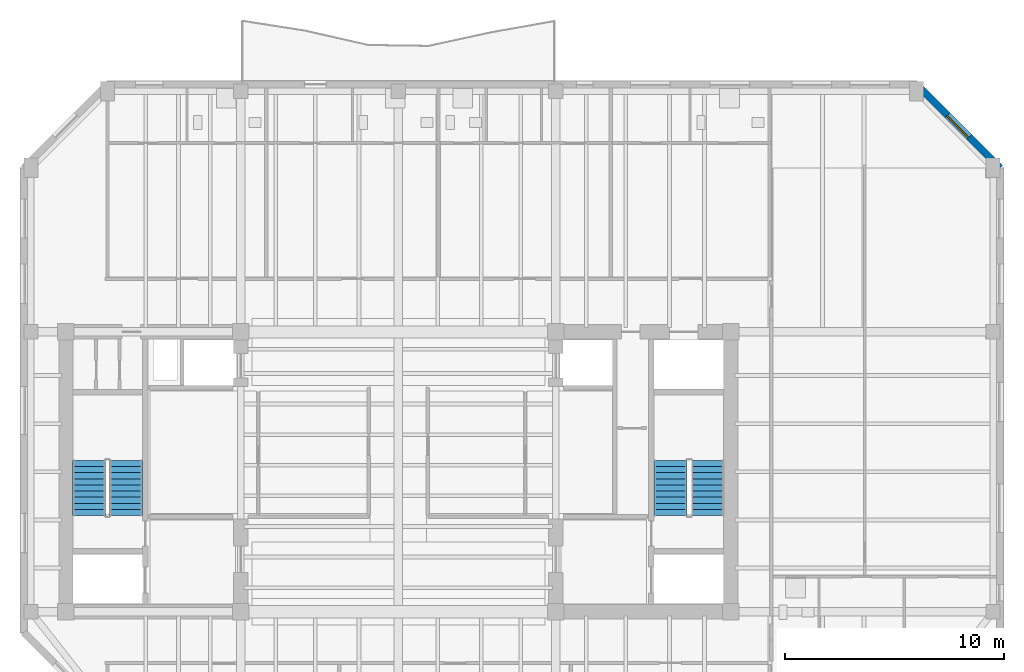
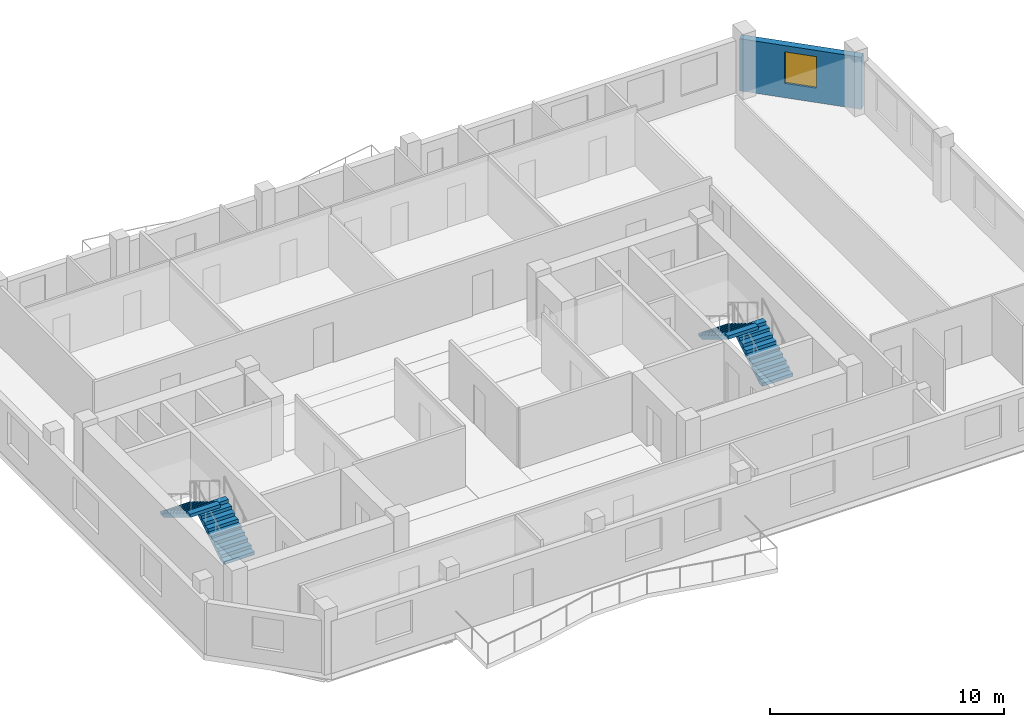
# One storey, part 6 of 9: 4 stair flights, 1 wall, 1 window, 1 opening, 2 elements without a shape of their own.
"""IFC4 building model written with IfcOpenShell, lengths in metres."""

from ifc_helpers import new_model, si_unit, direction, frame, frame_2d, origin, place, context, subcontext, project, spatial, polyline, rectangle, outline, extrude, material, layer, layer_set, type_object, element, fill, aggregate, save


model = new_model("IFC4")

# Units and contexts
model_context = context("Model", 3, precision=1e-05, world=origin(), true_north=direction((0.0, 1.0)))
body_context = subcontext(model_context, "Body", "Model", "MODEL_VIEW")
ifc_project = project(units=[si_unit("LENGTHUNIT", "METRE"), si_unit("AREAUNIT", "SQUARE_METRE"), si_unit("VOLUMEUNIT", "CUBIC_METRE"), si_unit("PLANEANGLEUNIT", "RADIAN"), si_unit("MASSUNIT", "GRAM", prefix="KILO")], contexts=[model_context])

# Site, building, storey
site_placement = place(None, origin())
site = spatial("IfcSite", under=ifc_project, at=site_placement, CompositionType="ELEMENT")
building_placement = place(site_placement, origin())
building = spatial("IfcBuilding", under=site, at=building_placement, Name="Kranthara Brick Stack", CompositionType="ELEMENT")
storey_placement = place(building_placement, frame((0.0, 0.0, 258.5)))
storey = spatial("IfcBuildingStorey", under=building, at=storey_placement, Name="L68", CompositionType="ELEMENT", Elevation=258.5)

# Wall, opening, window
ifc_material_1 = material(Name="Warm buff clay brick masonry M15", Category="masonry")
ifc_layer = layer(ifc_material_1, 0.320068359375)
ifc_layer_set = layer_set([ifc_layer], Name="Warm buff clay brick masonry M15")
wall_type = type_object("IfcWallType", Name="WL-BRK-UPPR-320", PredefinedType="STANDARD", material=ifc_layer_set)
wall_placement = place(storey_placement, frame((51.699951171875, 44.919921875, 0.0), z_axis=(0.0, 0.0, 1.0), x_axis=(0.70712937715, -0.707084184501, 0.0)))
wall = element("IfcWall", 1, at=wall_placement, inside=storey, type_object=wall_type, Name="L68 Exterior Brick Facade Wall NE 1", PredefinedType="STANDARD", context=body_context, shape_type="SweptSolid", body=[
    extrude(rectangle(XDim=5.402099609375, YDim=0.320068359375, at=frame_2d((2.701171875, 0.0))), origin(), (0.0, 0.0, 1.0), 2.72509765625),
])
opening_placement = place(wall_placement, frame((2.0009765625, 0.0, 0.75)))
opening = element("IfcOpeningElement", 2, at=opening_placement, cuts=wall, Name="Opening WN10", PredefinedType="OPENING", context=body_context, shape_type="SweptSolid", body=[
    extrude(rectangle(XDim=1.39990234375, YDim=1.64990234375, at=frame_2d((0.699951171875, 0.824951171875))), frame((0.0, 0.169921875, 0.0), z_axis=(0.0, -1.0, 0.0), x_axis=(1.0, 0.0, 0.0)), (0.0, 0.0, 1.0), 0.340087890625),
])
ifc_material_2 = material(Name="Double-glazed low-E solar control glass", Category="glass")
window_type = type_object("IfcWindowType", Name="WN-CHM-1400x1750", PartitioningType="SINGLE_PANEL", PredefinedType="WINDOW", material=ifc_material_2)
window_placement = place(opening_placement, origin())
window = element("IfcWindow", 3, at=window_placement, inside=storey, type_object=window_type, Name="L68 NE Chamfer Corner Window", OverallHeight=1.64990234375, OverallWidth=1.39990234375, PartitioningType="SINGLE_PANEL", PredefinedType="WINDOW", context=body_context, shape_type="SweptSolid", body=[
    extrude(rectangle(XDim=1.39990234375, YDim=1.64990234375, at=frame_2d((0.699951171875, 0.824951171875))), frame((0.0, -0.010009765625, 0.0), z_axis=(0.0, -1.0, 0.0), x_axis=(1.0, 0.0, 0.0)), (0.0, 0.0, 1.0), 0.06005859375),
])
fill(opening, window)

# Stair, stair flights
ifc_material_3 = material(Name="Concrete C45/55", Category="concrete")
stair_type = type_object("IfcStairType", Name="ST-CORE-20R", PredefinedType="HALF_TURN_STAIR", material=ifc_material_3)
stair_1_placement = place(storey_placement, origin())
stair_1 = element("IfcStair", 4, at=stair_1_placement, inside=storey, type_object=stair_type, Name="L68 West Core Protected Exit Stair ST01", PredefinedType="HALF_TURN_STAIR")
ifc_material_4 = material(Name="Concrete C45/55", Category="concrete")
stair_flight_type = type_object("IfcStairFlightType", Name="SFL-RC-20R", PredefinedType="STRAIGHT", material=ifc_material_4)
stair_flight_1_placement = place(storey_placement, frame((15.550048828125, 25.199951171875, 0.0), z_axis=(0.0, 0.0, 1.0), x_axis=(0.0, 1.0, 0.0)))
stair_flight_1 = element("IfcStairFlight", 5, at=stair_flight_1_placement, type_object=stair_flight_type, Name="ST01 flight 1", NumberOfRisers=10, NumberOfTreads=9, PredefinedType="STRAIGHT", RiserHeight=0.17, TreadLength=0.28, context=body_context, shape_type="SweptSolid", body=[
    extrude(outline(polyline([(0.0, 0.0), (0.0, 0.169921875), (0.280029296875, 0.169921875), (0.280029296875, 0.340087890625), (0.56005859375, 0.340087890625), (0.56005859375, 0.510009765625), (0.840087890625, 0.510009765625), (0.840087890625, 0.679931640625), (1.1201171875, 0.679931640625), (1.1201171875, 0.85009765625), (1.39990234375, 0.85009765625), (1.39990234375, 1.02001953125), (1.679931640625, 1.02001953125), (1.679931640625, 1.18994140625), (1.9599609375, 1.18994140625), (1.9599609375, 1.360107421875), (2.239990234375, 1.360107421875), (2.239990234375, 1.530029296875), (2.52001953125, 1.530029296875), (2.52001953125, 1.699951171875), (2.52001953125, 1.354736328125), (0.288818359375, 0.0), (0.0, 0.0)])), frame((0.0, 0.75, 0.0), z_axis=(0.0, -1.0, 0.0), x_axis=(1.0, 0.0, 0.0)), (0.0, 0.0, 1.0), 1.5),
])
stair_flight_2_placement = place(storey_placement, frame((13.85009765625, 27.719970703125, 1.699951171875), z_axis=(0.0, 0.0, 1.0), x_axis=(0.0, -1.0, 0.0)))
stair_flight_2 = element("IfcStairFlight", 6, at=stair_flight_2_placement, type_object=stair_flight_type, Name="ST01 flight 2", NumberOfRisers=10, NumberOfTreads=9, PredefinedType="STRAIGHT", RiserHeight=0.17, TreadLength=0.28, context=body_context, shape_type="SweptSolid", body=[
    extrude(outline(polyline([(0.0, 0.0), (0.0, 0.169921875), (0.280029296875, 0.169921875), (0.280029296875, 0.340087890625), (0.56005859375, 0.340087890625), (0.56005859375, 0.510009765625), (0.840087890625, 0.510009765625), (0.840087890625, 0.679931640625), (1.1201171875, 0.679931640625), (1.1201171875, 0.85009765625), (1.39990234375, 0.85009765625), (1.39990234375, 1.02001953125), (1.679931640625, 1.02001953125), (1.679931640625, 1.18994140625), (1.9599609375, 1.18994140625), (1.9599609375, 1.360107421875), (2.239990234375, 1.360107421875), (2.239990234375, 1.530029296875), (2.52001953125, 1.530029296875), (2.52001953125, 1.699951171875), (2.52001953125, 1.354736328125), (0.288818359375, 0.0), (0.0, 0.0)])), frame((0.0, 0.75, 0.0), z_axis=(0.0, -1.0, 0.0), x_axis=(1.0, 0.0, 0.0)), (0.0, 0.0, 1.0), 1.5),
])
aggregate(stair_1, [stair_flight_1, stair_flight_2])

stair_2_placement = place(storey_placement, origin())
stair_2 = element("IfcStair", 7, at=stair_2_placement, inside=storey, type_object=stair_type, Name="L68 East Core Protected Exit Stair ST02", PredefinedType="HALF_TURN_STAIR")
stair_flight_3_placement = place(storey_placement, frame((42.14990234375, 25.199951171875, 0.0), z_axis=(0.0, 0.0, 1.0), x_axis=(0.0, 1.0, 0.0)))
stair_flight_3 = element("IfcStairFlight", 8, at=stair_flight_3_placement, type_object=stair_flight_type, Name="ST02 flight 1", NumberOfRisers=10, NumberOfTreads=9, PredefinedType="STRAIGHT", RiserHeight=0.17, TreadLength=0.28, context=body_context, shape_type="SweptSolid", body=[
    extrude(outline(polyline([(0.0, 0.0), (0.0, 0.169921875), (0.280029296875, 0.169921875), (0.280029296875, 0.340087890625), (0.56005859375, 0.340087890625), (0.56005859375, 0.510009765625), (0.840087890625, 0.510009765625), (0.840087890625, 0.679931640625), (1.1201171875, 0.679931640625), (1.1201171875, 0.85009765625), (1.39990234375, 0.85009765625), (1.39990234375, 1.02001953125), (1.679931640625, 1.02001953125), (1.679931640625, 1.18994140625), (1.9599609375, 1.18994140625), (1.9599609375, 1.360107421875), (2.239990234375, 1.360107421875), (2.239990234375, 1.530029296875), (2.52001953125, 1.530029296875), (2.52001953125, 1.699951171875), (2.52001953125, 1.354736328125), (0.288818359375, 0.0), (0.0, 0.0)])), frame((0.0, 0.75, 0.0), z_axis=(0.0, -1.0, 0.0), x_axis=(1.0, 0.0, 0.0)), (0.0, 0.0, 1.0), 1.5),
])
stair_flight_4_placement = place(storey_placement, frame((40.449951171875, 27.719970703125, 1.699951171875), z_axis=(0.0, 0.0, 1.0), x_axis=(0.0, -1.0, 0.0)))
stair_flight_4 = element("IfcStairFlight", 9, at=stair_flight_4_placement, type_object=stair_flight_type, Name="ST02 flight 2", NumberOfRisers=10, NumberOfTreads=9, PredefinedType="STRAIGHT", RiserHeight=0.17, TreadLength=0.28, context=body_context, shape_type="SweptSolid", body=[
    extrude(outline(polyline([(0.0, 0.0), (0.0, 0.169921875), (0.280029296875, 0.169921875), (0.280029296875, 0.340087890625), (0.56005859375, 0.340087890625), (0.56005859375, 0.510009765625), (0.840087890625, 0.510009765625), (0.840087890625, 0.679931640625), (1.1201171875, 0.679931640625), (1.1201171875, 0.85009765625), (1.39990234375, 0.85009765625), (1.39990234375, 1.02001953125), (1.679931640625, 1.02001953125), (1.679931640625, 1.18994140625), (1.9599609375, 1.18994140625), (1.9599609375, 1.360107421875), (2.239990234375, 1.360107421875), (2.239990234375, 1.530029296875), (2.52001953125, 1.530029296875), (2.52001953125, 1.699951171875), (2.52001953125, 1.354736328125), (0.288818359375, 0.0), (0.0, 0.0)])), frame((0.0, 0.75, 0.0), z_axis=(0.0, -1.0, 0.0), x_axis=(1.0, 0.0, 0.0)), (0.0, 0.0, 1.0), 1.5),
])
aggregate(stair_2, [stair_flight_3, stair_flight_4])

save(model, "model.ifc")
